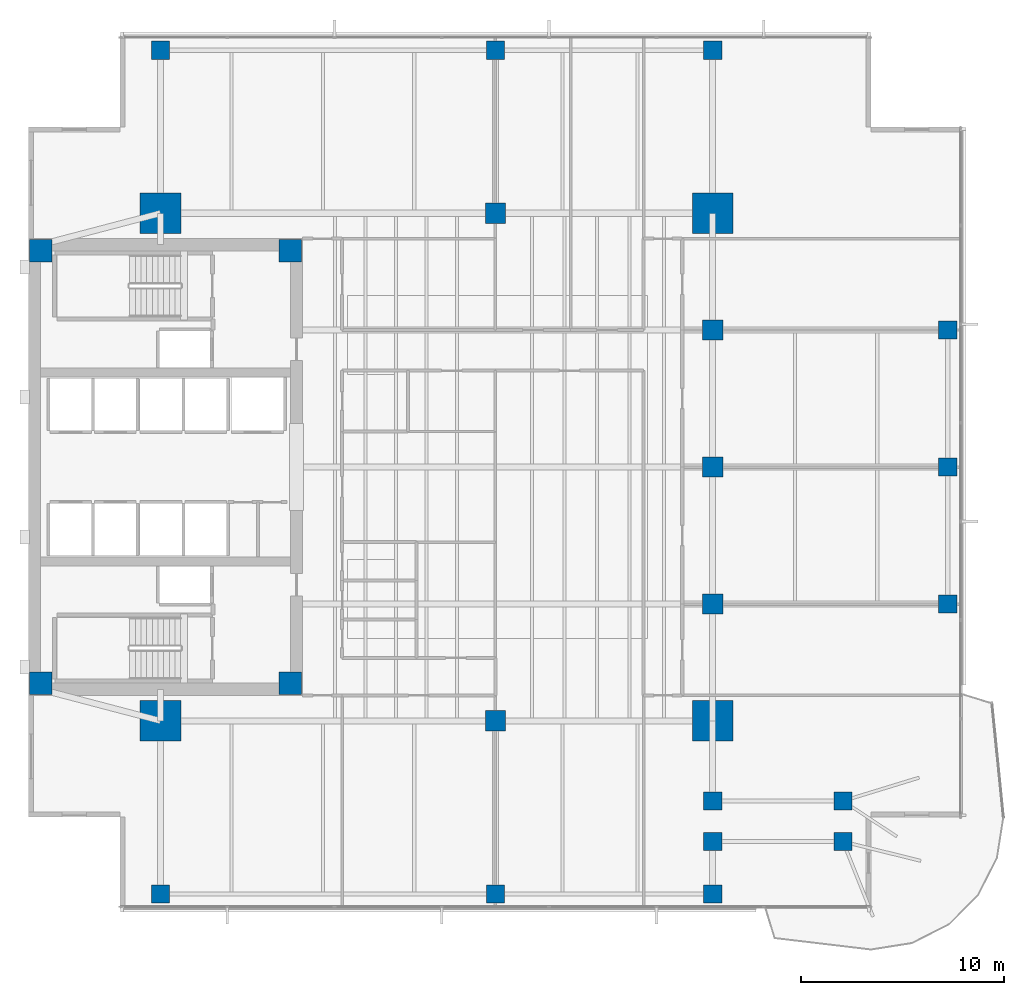
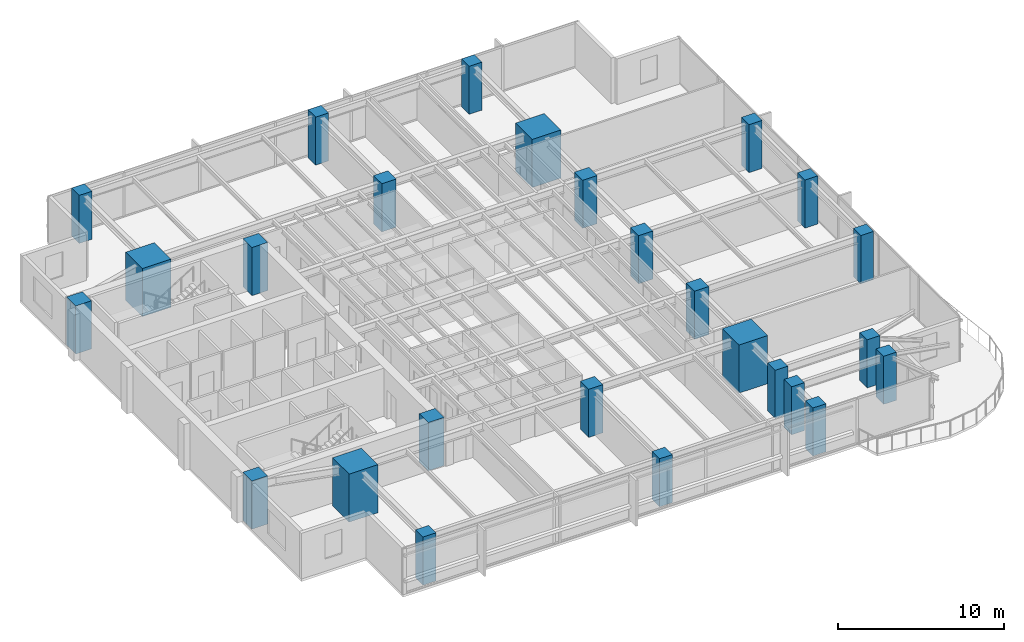
# One storey, part 1 of 14: 26 columns.
"""IFC4 building model written with IfcOpenShell, lengths in metres."""

from ifc_helpers import new_model, si_unit, direction, frame, origin, origin_2d, place, context, subcontext, project, spatial, rectangle, extrude, material, material_profile, profile_set, type_object, element, save


model = new_model("IFC4")

# Units and contexts
model_context = context("Model", 3, precision=1e-05, world=origin(), true_north=direction((0.0, 1.0)))
body_context = subcontext(model_context, "Body", "Model", "MODEL_VIEW")
ifc_project = project(units=[si_unit("LENGTHUNIT", "METRE"), si_unit("AREAUNIT", "SQUARE_METRE"), si_unit("VOLUMEUNIT", "CUBIC_METRE"), si_unit("PLANEANGLEUNIT", "RADIAN"), si_unit("MASSUNIT", "GRAM", prefix="KILO")], contexts=[model_context])

# Site, building, storey
site_placement = place(None, origin())
site = spatial("IfcSite", under=ifc_project, at=site_placement, CompositionType="ELEMENT")
building_placement = place(site_placement, origin())
building = spatial("IfcBuilding", under=site, at=building_placement, Name="Kinhvarn Gate Tower", CompositionType="ELEMENT")
storey_placement = place(building_placement, frame((0.0, 0.0, 155.5)))
storey = spatial("IfcBuildingStorey", under=building, at=storey_placement, Name="L41", CompositionType="ELEMENT", Elevation=155.5)

# Columns
ifc_material = material(Name="Concrete C60/75", Category="concrete")
ifc_material_profile_1 = material_profile(ifc_material, rectangle(XDim=2.0, YDim=2.0, at=origin_2d()), Name="RC 2000x2000")
ifc_profile_set_1 = profile_set([ifc_material_profile_1], Name="Concrete C60/75")
column_type_1 = type_object("IfcColumnType", Name="COL-MC-2000", PredefinedType="COLUMN", material=ifc_profile_set_1)
for number, where, z_axis, x_axis, name in (
    (1, (11.0, 12.75, 0.0), (0.0, 0.0, 1.0), (1.0, 0.0, 0.0), "Column MC1-L41 (MC-20)"),
    (2, (11.0, 37.75, 0.0), (0.0, 0.0, 1.0), (1.0, 0.0, 0.0), "Column MC4-L41 (MC-20)"),
    (3, (38.199951171875, 12.75, 0.0), (0.0, 0.0, 1.0), (1.0, 0.0, 0.0), "Column MC2-L41 (MC-20)"),
    (4, (38.199951171875, 37.75, 0.0), (0.0, 0.0, 1.0), (1.0, 0.0, 0.0), "Column MC3-L41 (MC-20)"),
):
    element("IfcColumn", number, at=place(storey_placement, frame(where, z_axis=z_axis, x_axis=x_axis)), inside=storey, type_object=column_type_1, Name=name, PredefinedType="COLUMN", context=body_context, shape_type="SweptSolid", body=[
        extrude(rectangle(XDim=2.0, YDim=2.0, at=origin_2d()), origin(), (0.0, 0.0, 1.0), 3.550048828125),
    ])
ifc_material_profile_2 = material_profile(ifc_material, rectangle(XDim=1.0, YDim=1.0, at=origin_2d()), Name="RC 1000x1000")
ifc_profile_set_2 = profile_set([ifc_material_profile_2], Name="Concrete C60/75")
column_type_2 = type_object("IfcColumnType", Name="COL-RC-1000", PredefinedType="COLUMN", material=ifc_profile_set_2)
for number, where, z_axis, x_axis, name in (
    (5, (27.5, 12.75, 0.0), (0.0, 0.0, 1.0), (1.0, 0.0, 0.0), "Column SP27-S-L41 (C-100)"),
    (6, (27.5, 37.75, 0.0), (0.0, 0.0, 1.0), (1.0, 0.0, 0.0), "Column SP27-N-L41 (C-100)"),
    (7, (38.199951171875, 18.5, 0.0), (0.0, 0.0, 1.0), (1.0, 0.0, 0.0), "Column SP38-E1-L41 (C-100)"),
    (8, (38.199951171875, 25.25, 0.0), (0.0, 0.0, 1.0), (1.0, 0.0, 0.0), "Column SP38-E2-L41 (C-100)"),
    (9, (38.199951171875, 32.0, 0.0), (0.0, 0.0, 1.0), (1.0, 0.0, 0.0), "Column SP38-E3-L41 (C-100)"),
):
    element("IfcColumn", number, at=place(storey_placement, frame(where, z_axis=z_axis, x_axis=x_axis)), inside=storey, type_object=column_type_2, Name=name, PredefinedType="COLUMN", context=body_context, shape_type="SweptSolid", body=[
        extrude(rectangle(XDim=1.0, YDim=1.0, at=origin_2d()), origin(), (0.0, 0.0, 1.0), 3.550048828125),
    ])
ifc_material_profile_3 = material_profile(ifc_material, rectangle(XDim=0.89990234375, YDim=0.89990234375, at=origin_2d()), Name="RC 900x900")
ifc_profile_set_3 = profile_set([ifc_material_profile_3], Name="Concrete C60/75")
column_type_3 = type_object("IfcColumnType", Name="COL-RC-900", PredefinedType="COLUMN", material=ifc_profile_set_3)
for number, where, z_axis, x_axis, name in (
    (10, (38.199951171875, 6.800048828125, 0.0), (0.0, 0.0, 1.0), (1.0, 0.0, 0.0), "Column CS-ANC68-L41 (C-090)"),
    (11, (38.199951171875, 8.800048828125, 0.0), (0.0, 0.0, 1.0), (1.0, 0.0, 0.0), "Column CS-ANC88-L41 (C-090)"),
    (12, (44.6201171875, 6.800048828125, 0.0), (0.0, 0.0, 1.0), (1.0, 0.0, 0.0), "Column CS-SE2-L41 (C-090)"),
    (13, (44.6201171875, 8.800048828125, 0.0), (0.0, 0.0, 1.0), (1.0, 0.0, 0.0), "Column CS-SE2B-L41 (C-090)"),
    (14, (49.780029296875, 18.5, 0.0), (0.0, 0.0, 1.0), (1.0, 0.0, 0.0), "Column CE-1-L41 (C-090)"),
    (15, (49.780029296875, 25.25, 0.0), (0.0, 0.0, 1.0), (1.0, 0.0, 0.0), "Column CE-2-L41 (C-090)"),
    (16, (49.780029296875, 32.0, 0.0), (0.0, 0.0, 1.0), (1.0, 0.0, 0.0), "Column CE-3-L41 (C-090)"),
    (17, (11.0, 4.219970703125, 0.0), (0.0, 0.0, 1.0), (1.0, 0.0, 0.0), "Column CS-0-L41 (C-090)"),
    (18, (27.5, 4.219970703125, 0.0), (0.0, 0.0, 1.0), (1.0, 0.0, 0.0), "Column CS-1-L41 (C-090)"),
    (19, (38.199951171875, 4.219970703125, 0.0), (0.0, 0.0, 1.0), (1.0, 0.0, 0.0), "Column CS-2-L41 (C-090)"),
    (20, (11.0, 45.780029296875, 0.0), (0.0, 0.0, 1.0), (1.0, 0.0, 0.0), "Column CN-0-L41 (C-090)"),
    (21, (27.5, 45.780029296875, 0.0), (0.0, 0.0, 1.0), (1.0, 0.0, 0.0), "Column CN-1-L41 (C-090)"),
    (22, (38.199951171875, 45.780029296875, 0.0), (0.0, 0.0, 1.0), (1.0, 0.0, 0.0), "Column CN-2-L41 (C-090)"),
):
    element("IfcColumn", number, at=place(storey_placement, frame(where, z_axis=z_axis, x_axis=x_axis)), inside=storey, type_object=column_type_3, Name=name, PredefinedType="COLUMN", context=body_context, shape_type="SweptSolid", body=[
        extrude(rectangle(XDim=0.89990234375, YDim=0.89990234375, at=origin_2d()), origin(), (0.0, 0.0, 1.0), 3.550048828125),
    ])
ifc_material_profile_4 = material_profile(ifc_material, rectangle(XDim=1.10009765625, YDim=1.10009765625, at=origin_2d()), Name="RC 1100x1100")
ifc_profile_set_4 = profile_set([ifc_material_profile_4], Name="Concrete C60/75")
column_type_4 = type_object("IfcColumnType", Name="PIL-RC-1100", PredefinedType="PILASTER", material=ifc_profile_set_4)
for number, where, z_axis, x_axis, name in (
    (23, (5.10009765625, 14.60009765625, 0.0), (0.0, 0.0, 1.0), (1.0, 0.0, 0.0), "Column CC-SW-L41 (CP-110)"),
    (24, (5.10009765625, 35.89990234375, 0.0), (0.0, 0.0, 1.0), (1.0, 0.0, 0.0), "Column CC-NW-L41 (CP-110)"),
    (25, (17.39990234375, 14.60009765625, 0.0), (0.0, 0.0, 1.0), (1.0, 0.0, 0.0), "Column CC-SE-L41 (CP-110)"),
    (26, (17.39990234375, 35.89990234375, 0.0), (0.0, 0.0, 1.0), (1.0, 0.0, 0.0), "Column CC-NE-L41 (CP-110)"),
):
    element("IfcColumn", number, at=place(storey_placement, frame(where, z_axis=z_axis, x_axis=x_axis)), inside=storey, type_object=column_type_4, Name=name, PredefinedType="PILASTER", context=body_context, shape_type="SweptSolid", body=[
        extrude(rectangle(XDim=1.10009765625, YDim=1.10009765625, at=origin_2d()), origin(), (0.0, 0.0, 1.0), 3.550048828125),
    ])

save(model, "model.ifc")
